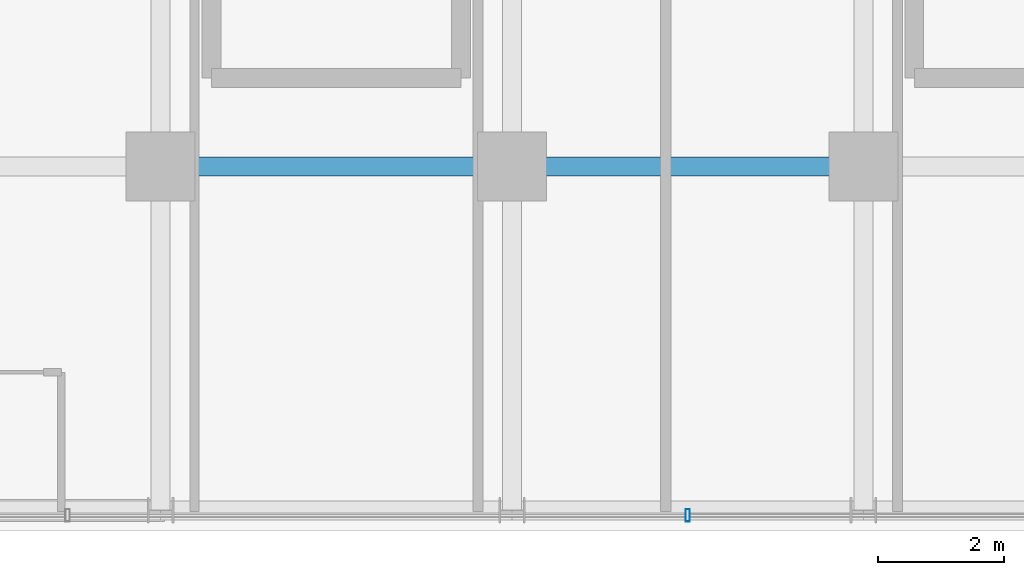
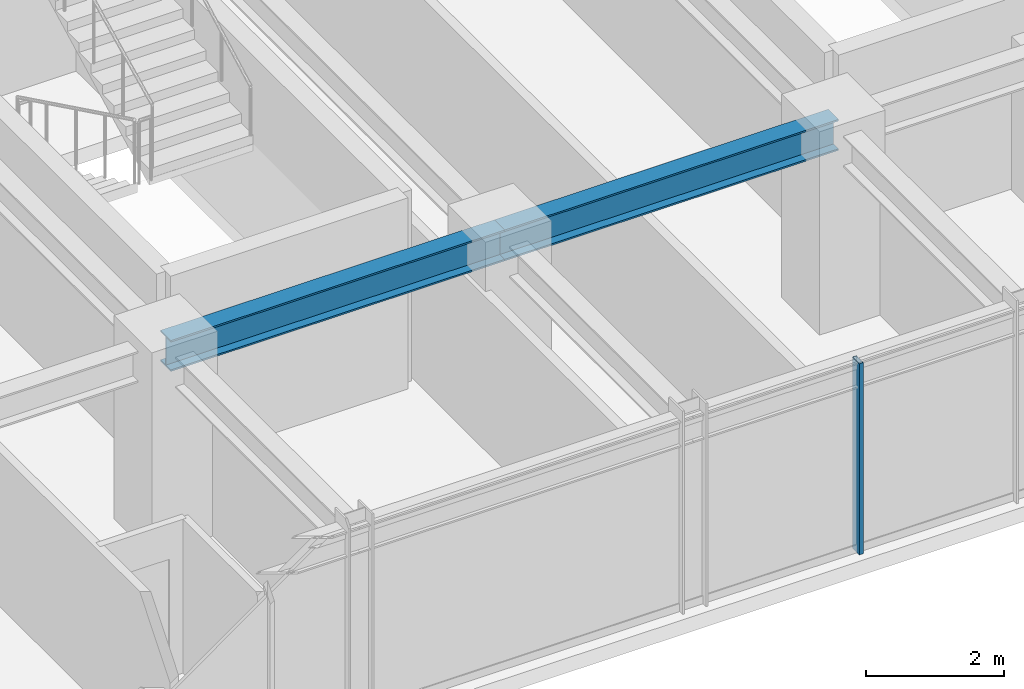
# One storey, part 6 of 36: 2 beams, 1 member, 1 element without a shape of its own.
"""IFC4 building model written with IfcOpenShell, lengths in metres."""

from ifc_helpers import new_model, si_unit, direction, frame, origin, origin_2d, place, context, subcontext, project, spatial, hollow_rectangle, i_section, extrude, source, transform, mapped, material, material_profile, profile_set, type_object, element, aggregate, save


model = new_model("IFC4")

# Units and contexts
model_context = context("Model", 3, precision=1e-05, world=origin(), true_north=direction((0.0, 1.0)))
body_context = subcontext(model_context, "Body", "Model", "MODEL_VIEW")
ifc_project = project(units=[si_unit("LENGTHUNIT", "METRE"), si_unit("AREAUNIT", "SQUARE_METRE"), si_unit("VOLUMEUNIT", "CUBIC_METRE"), si_unit("PLANEANGLEUNIT", "RADIAN"), si_unit("MASSUNIT", "GRAM", prefix="KILO")], contexts=[model_context])

# Site, building, storey
site_placement = place(None, origin())
site = spatial("IfcSite", under=ifc_project, at=site_placement, CompositionType="ELEMENT")
building_placement = place(site_placement, origin())
building = spatial("IfcBuilding", under=site, at=building_placement, Name="Nahalor Promenade Grand Hotel", CompositionType="ELEMENT")
storey_placement = place(building_placement, frame((0.0, 0.0, 174.550048828125)))
storey = spatial("IfcBuildingStorey", under=building, at=storey_placement, Name="L44", CompositionType="ELEMENT", Elevation=174.550048828125)

# Beams
ifc_material_1 = material(Name="Steel S355JR", Category="steel")
ifc_material_profile_1 = material_profile(ifc_material_1, i_section(OverallWidth=0.3, OverallDepth=0.55, WebThickness=0.015, FlangeThickness=0.029, at=origin_2d()), Name="HEB 550")
ifc_profile_set_1 = profile_set([ifc_material_profile_1], Name="Steel S355JR")
beam_type = type_object("IfcBeamType", Name="Beam-Girder-HEB550", PredefinedType="BEAM", material=ifc_profile_set_1)
shared_shape_1 = source(origin(), body_context, "Body", "SweptSolid", [
    extrude(i_section(OverallWidth=0.3, OverallDepth=0.55, WebThickness=0.015, FlangeThickness=0.029, at=origin_2d()), origin(), (0.0, 0.0, 1.0), 5.599853515625),
])
beam_1_placement = place(storey_placement, frame((-8.39990234375, -17.0, 3.114990234375), z_axis=(1.0, 0.0, 0.0), x_axis=(0.0, 1.0, 0.0)))
element("IfcBeam", 1, at=beam_1_placement, inside=storey, type_object=beam_type, Name="BM-L44-GX-0-2", PredefinedType="BEAM", context=body_context, shape_type="MappedRepresentation", body=[
    mapped(shared_shape_1, transform((0.0, 0.0, 0.0), scale=1.0)),
])
shared_shape_2 = source(origin(), body_context, "Body", "SweptSolid", [
    extrude(i_section(OverallWidth=0.3, OverallDepth=0.55, WebThickness=0.015, FlangeThickness=0.029, at=origin_2d()), origin(), (0.0, 0.0, 1.0), 5.60009765625),
])
beam_2_placement = place(storey_placement, frame((-2.800048828125, -17.0, 3.114990234375), z_axis=(1.0, 0.0, 0.0), x_axis=(0.0, 1.0, 0.0)))
element("IfcBeam", 2, at=beam_2_placement, inside=storey, type_object=beam_type, Name="BM-L44-GX-0-3", PredefinedType="BEAM", context=body_context, shape_type="MappedRepresentation", body=[
    mapped(shared_shape_2, transform((0.0, 0.0, 0.0), scale=1.0)),
])

# Curtain wall, member
ifc_material_2 = material(Name="Anodised Bronze Aluminium EN AW-6063 T6", Category="aluminium")
curtain_wall_type = type_object("IfcCurtainWallType", Name="CW3 Elliptical-Void Collar Unitised Curtain Wall", PredefinedType="USERDEFINED", material=ifc_material_2)
curtain_wall_placement = place(storey_placement, origin())
curtain_wall = element("IfcCurtainWall", 3, at=curtain_wall_placement, inside=storey, type_object=curtain_wall_type, Name="L44 Curtain Wall CW-L44-S-1", ObjectType="UNITISED_CURTAIN_WALL", PredefinedType="USERDEFINED")
ifc_material_profile_2 = material_profile(ifc_material_2, hollow_rectangle(XDim=0.07, YDim=0.2, WallThickness=0.005, at=origin_2d()), Name="CWM 70x200x5")
ifc_profile_set_2 = profile_set([ifc_material_profile_2], Name="Anodised Bronze Aluminium EN AW-6063 T6")
member_type = type_object("IfcMemberType", Name="CWM3 Void Collar Mullion 70x200", PredefinedType="MULLION", material=ifc_profile_set_2)
shared_shape_3 = source(origin(), body_context, "Body", "SweptSolid", [
    extrude(hollow_rectangle(XDim=0.07, YDim=0.2, WallThickness=0.005, at=origin_2d()), origin(), (0.0, 0.0, 1.0), 3.389892578125),
])
member_placement = place(storey_placement, frame((0.0, -22.56005859375, 0.0), z_axis=(0.0, 0.0, 1.0), x_axis=(1.0, 0.0, 0.0)))
member = element("IfcMember", 4, at=member_placement, type_object=member_type, Name="CW-L44-S-1 Mullion 2", PredefinedType="MULLION", context=body_context, shape_type="MappedRepresentation", body=[
    mapped(shared_shape_3, transform((0.0, 0.0, 0.0), scale=1.0)),
])
aggregate(curtain_wall, [member])

save(model, "model.ifc")
